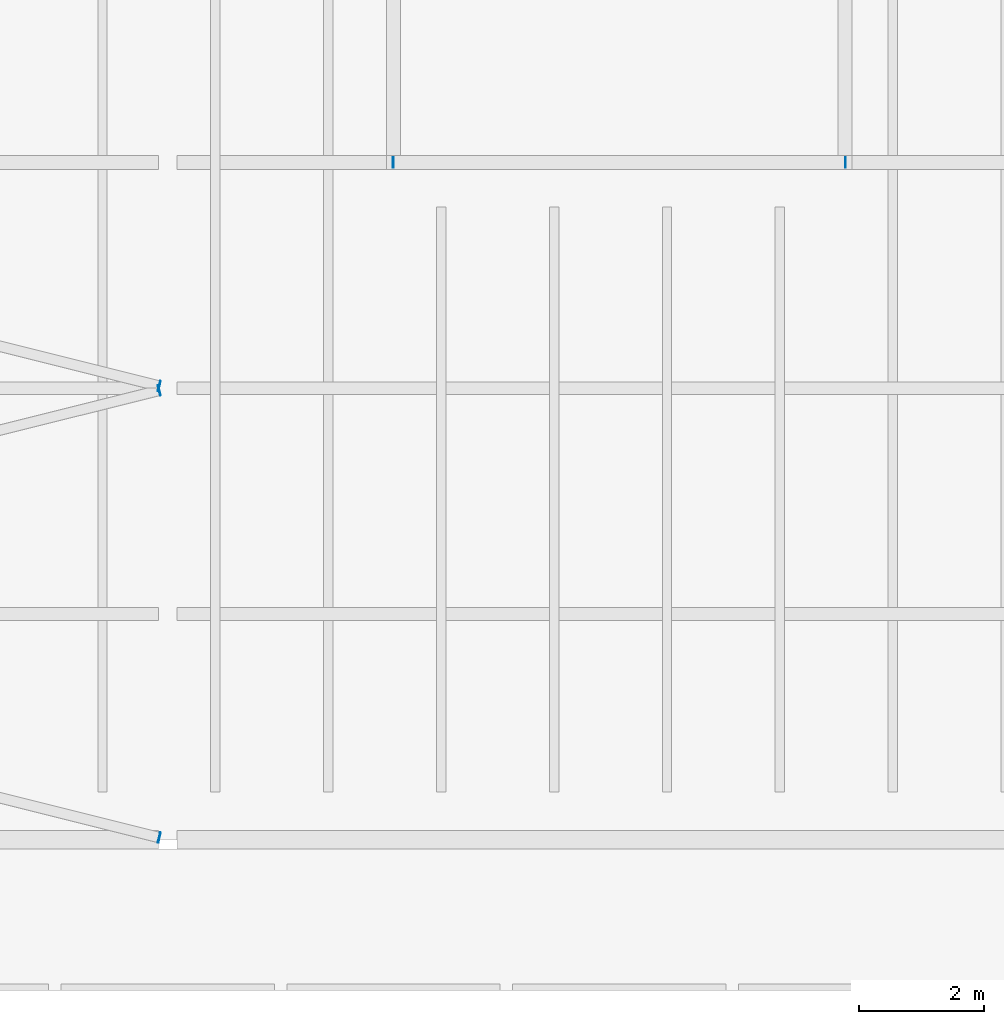
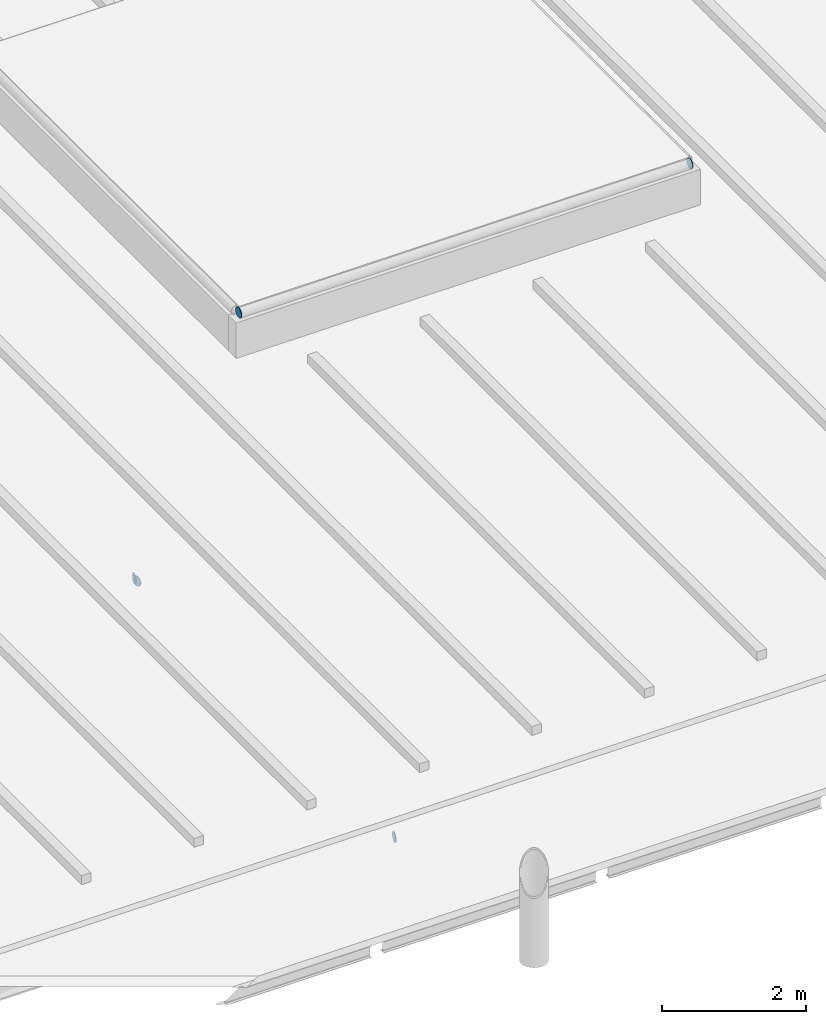
# One storey, part 92 of 120: 5 discrete accessories.
"""IFC4 building model written with IfcOpenShell, lengths in metres."""

from ifc_helpers import new_model, si_unit, direction, frame, origin, origin_2d, place, context, subcontext, project, spatial, circle, extrude, material, layer, layer_set, type_object, element, save


model = new_model("IFC4")

# Units and contexts
model_context = context("Model", 3, precision=1e-05, world=origin(), true_north=direction((0.0, 1.0)))
body_context = subcontext(model_context, "Body", "Model", "MODEL_VIEW")
ifc_project = project(units=[si_unit("LENGTHUNIT", "METRE"), si_unit("AREAUNIT", "SQUARE_METRE"), si_unit("VOLUMEUNIT", "CUBIC_METRE"), si_unit("PLANEANGLEUNIT", "RADIAN"), si_unit("MASSUNIT", "GRAM", prefix="KILO")], contexts=[model_context])

# Site, building, storey
site_placement = place(None, origin())
site = spatial("IfcSite", under=ifc_project, at=site_placement, CompositionType="ELEMENT")
building_placement = place(site_placement, origin())
building = spatial("IfcBuilding", under=site, at=building_placement, Name="Kupolbacken Congress Centre", CompositionType="ELEMENT")
storey_placement = place(building_placement, frame((0.0, 0.0, 21.60009765625)))
storey = spatial("IfcBuildingStorey", under=building, at=storey_placement, Name="L06", CompositionType="ELEMENT", Elevation=21.60009765625)

# Discrete accessories
ifc_material = material(Name="Steel S355", Category="steel")
ifc_layer = layer(ifc_material, 0.011962890625)
ifc_layer_set = layer_set([ifc_layer], Name="Steel S355")
discrete_accessory_type = type_object("IfcDiscreteAccessoryType", Name="EC2 tube end cap plate 168 dia x 12", PredefinedType="BRACKET", material=ifc_layer_set)
for number, where, z_axis, x_axis, name in (
    (1, (165.459228515625, 43.235107421875, -0.084228515625), (0.974732318528, -0.223376156329, 0.0), (0.223376156329, 0.974732318528, 0.0), "End cap plate HR/RB/05-00 A"),
    (2, (165.459228515625, 50.36474609375, -0.084228515625), (0.970142500145, 0.242535625036, 0.0), (-0.242535625036, 0.970142500145, 0.0), "End cap plate HR/RB/05-01 B"),
    (3, (165.459228515625, 50.435302734375, -0.084228515625), (0.970142500145, -0.242535625036, 0.0), (0.242535625036, 0.970142500145, 0.0), "End cap plate HR/RB/05-02 A"),
    (4, (169.199951171875, 54.0, 0.944091796875), (-1.0, 0.0, 0.0), (0.0, -1.0, 0.0), "End cap plate RD/RL7/FS A"),
):
    element("IfcDiscreteAccessory", number, at=place(storey_placement, frame(where, z_axis=z_axis, x_axis=x_axis)), inside=storey, type_object=discrete_accessory_type, Name=name, PredefinedType="BRACKET", context=body_context, shape_type="SweptSolid", body=[
        extrude(circle(Radius=0.084228515625, at=origin_2d()), origin(), (0.0, 0.0, 1.0), 0.011962890625),
    ])
discrete_accessory_placement = place(storey_placement, frame((176.39990234375, 54.0, 0.944091796875), z_axis=(1.0, 0.0, 0.0), x_axis=(0.0, 1.0, 0.0)))
element("IfcDiscreteAccessory", 5, at=discrete_accessory_placement, inside=storey, type_object=discrete_accessory_type, Name="End cap plate RD/RL7/FS B", PredefinedType="BRACKET", context=body_context, shape_type="SweptSolid", body=[
    extrude(circle(Radius=0.084228515625, at=origin_2d()), origin(), (0.0, 0.0, 1.0), 0.01220703125),
])

save(model, "model.ifc")
